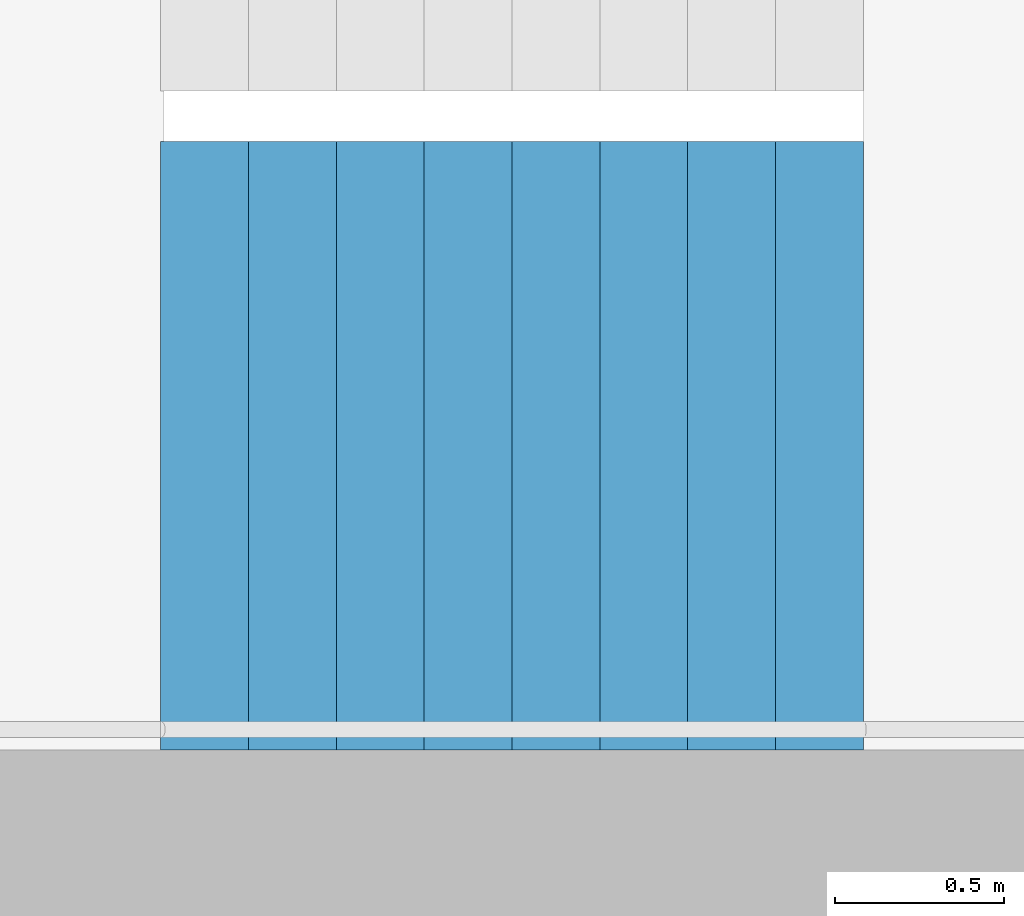
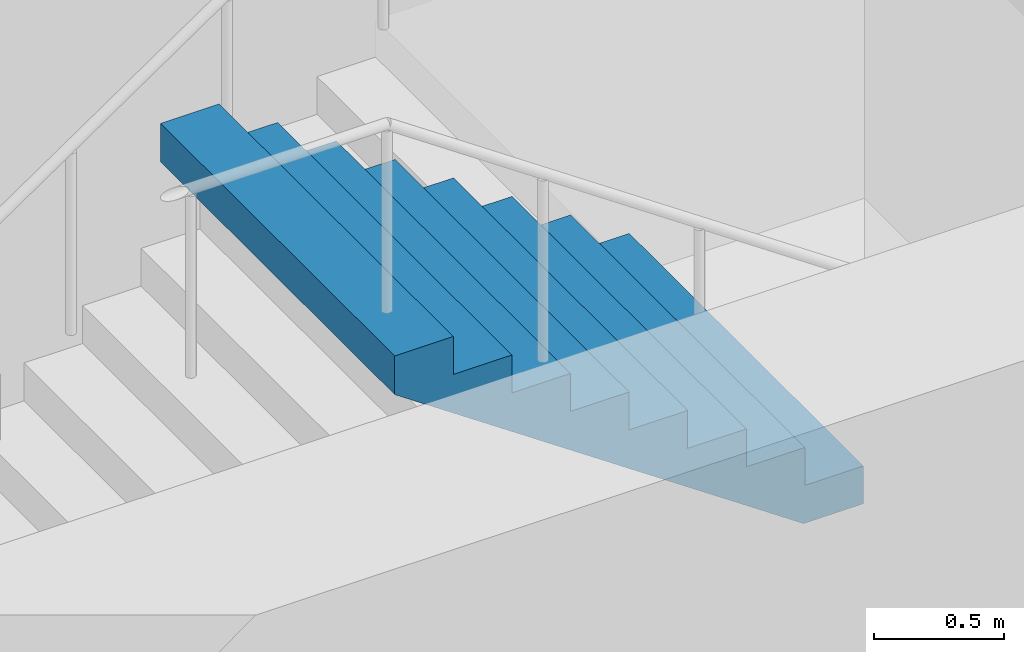
# One storey, part 22 of 26: 1 stair flight, 1 element without a shape of its own.
"""IFC4 building model written with IfcOpenShell, lengths in metres."""

from ifc_helpers import new_model, si_unit, direction, frame, origin, place, context, subcontext, project, spatial, triangles, material, type_object, element, aggregate, save


model = new_model("IFC4")

# Units and contexts
model_context = context("Model", 3, precision=1e-05, world=origin(), true_north=direction((0.0, 1.0)))
body_context = subcontext(model_context, "Body", "Model", "MODEL_VIEW")
ifc_project = project(units=[si_unit("LENGTHUNIT", "METRE"), si_unit("AREAUNIT", "SQUARE_METRE"), si_unit("VOLUMEUNIT", "CUBIC_METRE"), si_unit("PLANEANGLEUNIT", "RADIAN"), si_unit("MASSUNIT", "GRAM", prefix="KILO")], contexts=[model_context])

# Site, building, storey
site_placement = place(None, origin())
site = spatial("IfcSite", under=ifc_project, at=site_placement, CompositionType="ELEMENT")
building_placement = place(site_placement, origin())
building = spatial("IfcBuilding", under=site, at=building_placement, Name="Hakoniwa Tower and Hamabe Station Hall", CompositionType="ELEMENT")
storey_placement = place(building_placement, frame((0.0, 0.0, 169.39990234375)))
storey = spatial("IfcBuildingStorey", under=building, at=storey_placement, Name="L48", CompositionType="ELEMENT", Elevation=169.39990234375)

# Stair, stair flight
ifc_material_1 = material(Name="Concrete C40", Category="concrete")
stair_type = type_object("IfcStairType", Name="ESCAPE STAIR 1800", PredefinedType="HALF_TURN_STAIR", material=ifc_material_1)
stair_placement = place(storey_placement, origin())
stair = element("IfcStair", 1, at=stair_placement, inside=storey, type_object=stair_type, Name="Escape stair ST-4 L48", PredefinedType="HALF_TURN_STAIR")
ifc_material_2 = material(Name="Concrete C40", Category="concrete")
stair_flight_type = type_object("IfcStairFlightType", Name="STAIR FLIGHT 1800", PredefinedType="STRAIGHT", material=ifc_material_2)
stair_flight_placement = place(storey_placement, frame((25.47998046875, -6.60009765625, 1.60009765625), z_axis=(0.0, 0.0, 1.0), x_axis=(-1.0, 0.0, 0.0)))
stair_flight = element("IfcStairFlight", 2, at=stair_flight_placement, type_object=stair_flight_type, Name="ST-4 flight 2", NumberOfRisers=9, NumberOfTreads=8, PredefinedType="STRAIGHT", RiserHeight=0.177777778, TreadLength=0.26, context=body_context, shape_type="Tessellation", body=[
    triangles([(0.0, 0.89990234375, 0.0), (0.260009765625, 0.89990234375, 0.0), (0.265625, 0.89990234375, 0.0), (0.52001953125, 0.89990234375, 0.174072265625), (0.780029296875, 0.89990234375, 0.351806640625), (1.0400390625, 0.89990234375, 0.529541015625), (1.300048828125, 0.89990234375, 0.707275390625), (1.56005859375, 0.89990234375, 0.885009765625), (1.820068359375, 0.89990234375, 1.062744140625), (2.080078125, 0.89990234375, 1.24072265625), (2.080078125, 0.89990234375, 1.422119140625), (1.820068359375, 0.89990234375, 1.422119140625), (1.820068359375, 0.89990234375, 1.244384765625), (1.56005859375, 0.89990234375, 1.244384765625), (1.56005859375, 0.89990234375, 1.066650390625), (1.300048828125, 0.89990234375, 1.066650390625), (1.300048828125, 0.89990234375, 0.888916015625), (1.0400390625, 0.89990234375, 0.888916015625), (1.0400390625, 0.89990234375, 0.711181640625), (0.780029296875, 0.89990234375, 0.711181640625), (0.780029296875, 0.89990234375, 0.533447265625), (0.52001953125, 0.89990234375, 0.533447265625), (0.52001953125, 0.89990234375, 0.35546875), (0.265625, 0.89990234375, 0.35546875), (0.260009765625, 0.89990234375, 0.35546875), (0.260009765625, 0.89990234375, 0.177734375), (0.0, 0.89990234375, 0.177734375), (0.0, 0.06005859375, 0.0), (0.260009765625, 0.06005859375, 0.0), (0.265625, 0.06005859375, 0.0), (0.52001953125, 0.06005859375, 0.174072265625), (0.780029296875, 0.06005859375, 0.351806640625), (1.0400390625, 0.06005859375, 0.529541015625), (1.300048828125, 0.06005859375, 0.707275390625), (1.56005859375, 0.06005859375, 0.885009765625), (1.820068359375, 0.06005859375, 1.062744140625), (2.080078125, 0.06005859375, 1.24072265625), (2.080078125, 0.06005859375, 1.422119140625), (1.820068359375, 0.06005859375, 1.422119140625), (1.820068359375, 0.06005859375, 1.244384765625), (1.56005859375, 0.06005859375, 1.244384765625), (1.56005859375, 0.06005859375, 1.066650390625), (1.300048828125, 0.06005859375, 1.066650390625), (1.300048828125, 0.06005859375, 0.888916015625), (1.0400390625, 0.06005859375, 0.888916015625), (1.0400390625, 0.06005859375, 0.711181640625), (0.780029296875, 0.06005859375, 0.711181640625), (0.780029296875, 0.06005859375, 0.533447265625), (0.52001953125, 0.06005859375, 0.533447265625), (0.52001953125, 0.06005859375, 0.35546875), (0.265625, 0.06005859375, 0.35546875), (0.260009765625, 0.06005859375, 0.35546875), (0.260009765625, 0.06005859375, 0.177734375), (0.0, 0.06005859375, 0.177734375), (0.0, 0.04296875, 0.0), (0.260009765625, 0.04296875, 0.0), (0.265625, 0.04296875, 0.0), (0.52001953125, 0.04296875, 0.174072265625), (0.780029296875, 0.04296875, 0.351806640625), (1.0400390625, 0.04296875, 0.529541015625), (1.300048828125, 0.04296875, 0.707275390625), (1.56005859375, 0.04296875, 0.885009765625), (1.820068359375, 0.04296875, 1.062744140625), (2.080078125, 0.04296875, 1.24072265625), (2.080078125, 0.04296875, 1.422119140625), (1.820068359375, 0.04296875, 1.422119140625), (1.820068359375, 0.04296875, 1.244384765625), (1.56005859375, 0.04296875, 1.244384765625), (1.56005859375, 0.04296875, 1.066650390625), (1.300048828125, 0.04296875, 1.066650390625), (1.300048828125, 0.04296875, 0.888916015625), (1.0400390625, 0.04296875, 0.888916015625), (1.0400390625, 0.04296875, 0.711181640625), (0.780029296875, 0.04296875, 0.711181640625), (0.780029296875, 0.04296875, 0.533447265625), (0.52001953125, 0.04296875, 0.533447265625), (0.52001953125, 0.04296875, 0.35546875), (0.265625, 0.04296875, 0.35546875), (0.260009765625, 0.04296875, 0.35546875), (0.260009765625, 0.04296875, 0.177734375), (0.0, 0.04296875, 0.177734375), (0.0, 0.025634765625, 0.0), (0.260009765625, 0.025634765625, 0.0), (0.265625, 0.025634765625, 0.0), (0.52001953125, 0.025634765625, 0.174072265625), (0.780029296875, 0.025634765625, 0.351806640625), (1.0400390625, 0.025634765625, 0.529541015625), (1.300048828125, 0.025634765625, 0.707275390625), (1.56005859375, 0.025634765625, 0.885009765625), (1.820068359375, 0.025634765625, 1.062744140625), (2.080078125, 0.025634765625, 1.24072265625), (2.080078125, 0.025634765625, 1.422119140625), (1.820068359375, 0.025634765625, 1.422119140625), (1.820068359375, 0.025634765625, 1.244384765625), (1.56005859375, 0.025634765625, 1.244384765625), (1.56005859375, 0.025634765625, 1.066650390625), (1.300048828125, 0.025634765625, 1.066650390625), (1.300048828125, 0.025634765625, 0.888916015625), (1.0400390625, 0.025634765625, 0.888916015625), (1.0400390625, 0.025634765625, 0.711181640625), (0.780029296875, 0.025634765625, 0.711181640625), (0.780029296875, 0.025634765625, 0.533447265625), (0.52001953125, 0.025634765625, 0.533447265625), (0.52001953125, 0.025634765625, 0.35546875), (0.265625, 0.025634765625, 0.35546875), (0.260009765625, 0.025634765625, 0.35546875), (0.260009765625, 0.025634765625, 0.177734375), (0.0, 0.025634765625, 0.177734375), (0.0, 0.008544921875, 0.0), (0.260009765625, 0.008544921875, 0.0), (0.265625, 0.008544921875, 0.0), (0.52001953125, 0.008544921875, 0.174072265625), (0.780029296875, 0.008544921875, 0.351806640625), (1.0400390625, 0.008544921875, 0.529541015625), (1.300048828125, 0.008544921875, 0.707275390625), (1.56005859375, 0.008544921875, 0.885009765625), (1.820068359375, 0.008544921875, 1.062744140625), (2.080078125, 0.008544921875, 1.24072265625), (2.080078125, 0.008544921875, 1.422119140625), (1.820068359375, 0.008544921875, 1.422119140625), (1.820068359375, 0.008544921875, 1.244384765625), (1.56005859375, 0.008544921875, 1.244384765625), (1.56005859375, 0.008544921875, 1.066650390625), (1.300048828125, 0.008544921875, 1.066650390625), (1.300048828125, 0.008544921875, 0.888916015625), (1.0400390625, 0.008544921875, 0.888916015625), (1.0400390625, 0.008544921875, 0.711181640625), (0.780029296875, 0.008544921875, 0.711181640625), (0.780029296875, 0.008544921875, 0.533447265625), (0.52001953125, 0.008544921875, 0.533447265625), (0.52001953125, 0.008544921875, 0.35546875), (0.265625, 0.008544921875, 0.35546875), (0.260009765625, 0.008544921875, 0.35546875), (0.260009765625, 0.008544921875, 0.177734375), (0.0, 0.008544921875, 0.177734375), (0.0, -0.008544921875, 0.0), (0.260009765625, -0.008544921875, 0.0), (0.265625, -0.008544921875, 0.0), (0.52001953125, -0.008544921875, 0.174072265625), (0.780029296875, -0.008544921875, 0.351806640625), (1.0400390625, -0.008544921875, 0.529541015625), (1.300048828125, -0.008544921875, 0.707275390625), (1.56005859375, -0.008544921875, 0.885009765625), (1.820068359375, -0.008544921875, 1.062744140625), (2.080078125, -0.008544921875, 1.24072265625), (2.080078125, -0.008544921875, 1.422119140625), (1.820068359375, -0.008544921875, 1.422119140625), (1.820068359375, -0.008544921875, 1.244384765625), (1.56005859375, -0.008544921875, 1.244384765625), (1.56005859375, -0.008544921875, 1.066650390625), (1.300048828125, -0.008544921875, 1.066650390625), (1.300048828125, -0.008544921875, 0.888916015625), (1.0400390625, -0.008544921875, 0.888916015625), (1.0400390625, -0.008544921875, 0.711181640625), (0.780029296875, -0.008544921875, 0.711181640625), (0.780029296875, -0.008544921875, 0.533447265625), (0.52001953125, -0.008544921875, 0.533447265625), (0.52001953125, -0.008544921875, 0.35546875), (0.265625, -0.008544921875, 0.35546875), (0.260009765625, -0.008544921875, 0.35546875), (0.260009765625, -0.008544921875, 0.177734375), (0.0, -0.008544921875, 0.177734375), (0.0, -0.025634765625, 0.0), (0.260009765625, -0.025634765625, 0.0), (0.265625, -0.025634765625, 0.0), (0.52001953125, -0.025634765625, 0.174072265625), (0.780029296875, -0.025634765625, 0.351806640625), (1.0400390625, -0.025634765625, 0.529541015625), (1.300048828125, -0.025634765625, 0.707275390625), (1.56005859375, -0.025634765625, 0.885009765625), (1.820068359375, -0.025634765625, 1.062744140625), (2.080078125, -0.025634765625, 1.24072265625), (2.080078125, -0.025634765625, 1.422119140625), (1.820068359375, -0.025634765625, 1.422119140625), (1.820068359375, -0.025634765625, 1.244384765625), (1.56005859375, -0.025634765625, 1.244384765625), (1.56005859375, -0.025634765625, 1.066650390625), (1.300048828125, -0.025634765625, 1.066650390625), (1.300048828125, -0.025634765625, 0.888916015625), (1.0400390625, -0.025634765625, 0.888916015625), (1.0400390625, -0.025634765625, 0.711181640625), (0.780029296875, -0.025634765625, 0.711181640625), (0.780029296875, -0.025634765625, 0.533447265625), (0.52001953125, -0.025634765625, 0.533447265625), (0.52001953125, -0.025634765625, 0.35546875), (0.265625, -0.025634765625, 0.35546875), (0.260009765625, -0.025634765625, 0.35546875), (0.260009765625, -0.025634765625, 0.177734375), (0.0, -0.025634765625, 0.177734375), (0.0, -0.04296875, 0.0), (0.260009765625, -0.04296875, 0.0), (0.265625, -0.04296875, 0.0), (0.52001953125, -0.04296875, 0.174072265625), (0.780029296875, -0.04296875, 0.351806640625), (1.0400390625, -0.04296875, 0.529541015625), (1.300048828125, -0.04296875, 0.707275390625), (1.56005859375, -0.04296875, 0.885009765625), (1.820068359375, -0.04296875, 1.062744140625), (2.080078125, -0.04296875, 1.24072265625), (2.080078125, -0.04296875, 1.422119140625), (1.820068359375, -0.04296875, 1.422119140625), (1.820068359375, -0.04296875, 1.244384765625), (1.56005859375, -0.04296875, 1.244384765625), (1.56005859375, -0.04296875, 1.066650390625), (1.300048828125, -0.04296875, 1.066650390625), (1.300048828125, -0.04296875, 0.888916015625), (1.0400390625, -0.04296875, 0.888916015625), (1.0400390625, -0.04296875, 0.711181640625), (0.780029296875, -0.04296875, 0.711181640625), (0.780029296875, -0.04296875, 0.533447265625), (0.52001953125, -0.04296875, 0.533447265625), (0.52001953125, -0.04296875, 0.35546875), (0.265625, -0.04296875, 0.35546875), (0.260009765625, -0.04296875, 0.35546875), (0.260009765625, -0.04296875, 0.177734375), (0.0, -0.04296875, 0.177734375), (0.0, -0.06005859375, 0.0), (0.260009765625, -0.06005859375, 0.0), (0.265625, -0.06005859375, 0.0), (0.52001953125, -0.06005859375, 0.174072265625), (0.780029296875, -0.06005859375, 0.351806640625), (1.0400390625, -0.06005859375, 0.529541015625), (1.300048828125, -0.06005859375, 0.707275390625), (1.56005859375, -0.06005859375, 0.885009765625), (1.820068359375, -0.06005859375, 1.062744140625), (2.080078125, -0.06005859375, 1.24072265625), (2.080078125, -0.06005859375, 1.422119140625), (1.820068359375, -0.06005859375, 1.422119140625), (1.820068359375, -0.06005859375, 1.244384765625), (1.56005859375, -0.06005859375, 1.244384765625), (1.56005859375, -0.06005859375, 1.066650390625), (1.300048828125, -0.06005859375, 1.066650390625), (1.300048828125, -0.06005859375, 0.888916015625), (1.0400390625, -0.06005859375, 0.888916015625), (1.0400390625, -0.06005859375, 0.711181640625), (0.780029296875, -0.06005859375, 0.711181640625), (0.780029296875, -0.06005859375, 0.533447265625), (0.52001953125, -0.06005859375, 0.533447265625), (0.52001953125, -0.06005859375, 0.35546875), (0.265625, -0.06005859375, 0.35546875), (0.260009765625, -0.06005859375, 0.35546875), (0.260009765625, -0.06005859375, 0.177734375), (0.0, -0.06005859375, 0.177734375), (0.0, -0.89990234375, 0.0), (0.260009765625, -0.89990234375, 0.0), (0.265625, -0.89990234375, 0.0), (0.52001953125, -0.89990234375, 0.174072265625), (0.780029296875, -0.89990234375, 0.351806640625), (1.0400390625, -0.89990234375, 0.529541015625), (1.300048828125, -0.89990234375, 0.707275390625), (1.56005859375, -0.89990234375, 0.885009765625), (1.820068359375, -0.89990234375, 1.062744140625), (2.080078125, -0.89990234375, 1.24072265625), (2.080078125, -0.89990234375, 1.422119140625), (1.820068359375, -0.89990234375, 1.422119140625), (1.820068359375, -0.89990234375, 1.244384765625), (1.56005859375, -0.89990234375, 1.244384765625), (1.56005859375, -0.89990234375, 1.066650390625), (1.300048828125, -0.89990234375, 1.066650390625), (1.300048828125, -0.89990234375, 0.888916015625), (1.0400390625, -0.89990234375, 0.888916015625), (1.0400390625, -0.89990234375, 0.711181640625), (0.780029296875, -0.89990234375, 0.711181640625), (0.780029296875, -0.89990234375, 0.533447265625), (0.52001953125, -0.89990234375, 0.533447265625), (0.52001953125, -0.89990234375, 0.35546875), (0.265625, -0.89990234375, 0.35546875), (0.260009765625, -0.89990234375, 0.35546875), (0.260009765625, -0.89990234375, 0.177734375), (0.0, -0.89990234375, 0.177734375)], [[2, 27, 26], [245, 269, 270], [2, 1, 27], [245, 270, 244], [3, 25, 24], [246, 267, 268], [3, 26, 25], [246, 268, 269], [3, 2, 26], [246, 269, 245], [4, 24, 23], [247, 266, 267], [4, 3, 24], [247, 267, 246], [5, 22, 21], [248, 264, 265], [5, 23, 22], [248, 265, 266], [5, 4, 23], [248, 266, 247], [6, 20, 19], [249, 262, 263], [6, 21, 20], [249, 263, 264], [6, 5, 21], [249, 264, 248], [7, 18, 17], [250, 260, 261], [7, 19, 18], [250, 261, 262], [7, 6, 19], [250, 262, 249], [8, 16, 15], [251, 258, 259], [8, 17, 16], [251, 259, 260], [8, 7, 17], [251, 260, 250], [9, 14, 13], [252, 256, 257], [9, 15, 14], [252, 257, 258], [9, 8, 15], [252, 258, 251], [10, 12, 11], [253, 254, 255], [10, 13, 12], [253, 255, 256], [10, 9, 13], [253, 256, 252], [1, 2, 29], [1, 29, 28], [28, 29, 56], [28, 56, 55], [55, 56, 83], [55, 83, 82], [82, 83, 110], [82, 110, 109], [109, 110, 137], [109, 137, 136], [136, 137, 164], [136, 164, 163], [163, 164, 191], [163, 191, 190], [190, 191, 218], [190, 218, 217], [217, 218, 245], [217, 245, 244], [2, 3, 30], [2, 30, 29], [29, 30, 57], [29, 57, 56], [56, 57, 84], [56, 84, 83], [83, 84, 111], [83, 111, 110], [110, 111, 138], [110, 138, 137], [137, 138, 165], [137, 165, 164], [164, 165, 192], [164, 192, 191], [191, 192, 219], [191, 219, 218], [218, 219, 246], [218, 246, 245], [3, 4, 31], [3, 31, 30], [30, 31, 58], [30, 58, 57], [57, 58, 85], [57, 85, 84], [84, 85, 112], [84, 112, 111], [111, 112, 139], [111, 139, 138], [138, 139, 166], [138, 166, 165], [165, 166, 193], [165, 193, 192], [192, 193, 220], [192, 220, 219], [219, 220, 247], [219, 247, 246], [4, 5, 32], [4, 32, 31], [31, 32, 59], [31, 59, 58], [58, 59, 86], [58, 86, 85], [85, 86, 113], [85, 113, 112], [112, 113, 140], [112, 140, 139], [139, 140, 167], [139, 167, 166], [166, 167, 194], [166, 194, 193], [193, 194, 221], [193, 221, 220], [220, 221, 248], [220, 248, 247], [5, 6, 33], [5, 33, 32], [32, 33, 60], [32, 60, 59], [59, 60, 87], [59, 87, 86], [86, 87, 114], [86, 114, 113], [113, 114, 141], [113, 141, 140], [140, 141, 168], [140, 168, 167], [167, 168, 195], [167, 195, 194], [194, 195, 222], [194, 222, 221], [221, 222, 249], [221, 249, 248], [6, 7, 34], [6, 34, 33], [33, 34, 61], [33, 61, 60], [60, 61, 88], [60, 88, 87], [87, 88, 115], [87, 115, 114], [114, 115, 142], [114, 142, 141], [141, 142, 169], [141, 169, 168], [168, 169, 196], [168, 196, 195], [195, 196, 223], [195, 223, 222], [222, 223, 250], [222, 250, 249], [7, 8, 35], [7, 35, 34], [34, 35, 62], [34, 62, 61], [61, 62, 89], [61, 89, 88], [88, 89, 116], [88, 116, 115], [115, 116, 143], [115, 143, 142], [142, 143, 170], [142, 170, 169], [169, 170, 197], [169, 197, 196], [196, 197, 224], [196, 224, 223], [223, 224, 251], [223, 251, 250], [8, 9, 36], [8, 36, 35], [35, 36, 63], [35, 63, 62], [62, 63, 90], [62, 90, 89], [89, 90, 117], [89, 117, 116], [116, 117, 144], [116, 144, 143], [143, 144, 171], [143, 171, 170], [170, 171, 198], [170, 198, 197], [197, 198, 225], [197, 225, 224], [224, 225, 252], [224, 252, 251], [9, 10, 37], [9, 37, 36], [36, 37, 64], [36, 64, 63], [63, 64, 91], [63, 91, 90], [90, 91, 118], [90, 118, 117], [117, 118, 145], [117, 145, 144], [144, 145, 172], [144, 172, 171], [171, 172, 199], [171, 199, 198], [198, 199, 226], [198, 226, 225], [225, 226, 253], [225, 253, 252], [10, 11, 38], [10, 38, 37], [37, 38, 65], [37, 65, 64], [64, 65, 92], [64, 92, 91], [91, 92, 119], [91, 119, 118], [118, 119, 146], [118, 146, 145], [145, 146, 173], [145, 173, 172], [172, 173, 200], [172, 200, 199], [199, 200, 227], [199, 227, 226], [226, 227, 254], [226, 254, 253], [11, 12, 39], [11, 39, 38], [38, 39, 66], [38, 66, 65], [65, 66, 93], [65, 93, 92], [92, 93, 120], [92, 120, 119], [119, 120, 147], [119, 147, 146], [146, 147, 174], [146, 174, 173], [173, 174, 201], [173, 201, 200], [200, 201, 228], [200, 228, 227], [227, 228, 255], [227, 255, 254], [12, 13, 40], [12, 40, 39], [39, 40, 67], [39, 67, 66], [66, 67, 94], [66, 94, 93], [93, 94, 121], [93, 121, 120], [120, 121, 148], [120, 148, 147], [147, 148, 175], [147, 175, 174], [174, 175, 202], [174, 202, 201], [201, 202, 229], [201, 229, 228], [228, 229, 256], [228, 256, 255], [13, 14, 41], [13, 41, 40], [40, 41, 68], [40, 68, 67], [67, 68, 95], [67, 95, 94], [94, 95, 122], [94, 122, 121], [121, 122, 149], [121, 149, 148], [148, 149, 176], [148, 176, 175], [175, 176, 203], [175, 203, 202], [202, 203, 230], [202, 230, 229], [229, 230, 257], [229, 257, 256], [14, 15, 42], [14, 42, 41], [41, 42, 69], [41, 69, 68], [68, 69, 96], [68, 96, 95], [95, 96, 123], [95, 123, 122], [122, 123, 150], [122, 150, 149], [149, 150, 177], [149, 177, 176], [176, 177, 204], [176, 204, 203], [203, 204, 231], [203, 231, 230], [230, 231, 258], [230, 258, 257], [15, 16, 43], [15, 43, 42], [42, 43, 70], [42, 70, 69], [69, 70, 97], [69, 97, 96], [96, 97, 124], [96, 124, 123], [123, 124, 151], [123, 151, 150], [150, 151, 178], [150, 178, 177], [177, 178, 205], [177, 205, 204], [204, 205, 232], [204, 232, 231], [231, 232, 259], [231, 259, 258], [16, 17, 44], [16, 44, 43], [43, 44, 71], [43, 71, 70], [70, 71, 98], [70, 98, 97], [97, 98, 125], [97, 125, 124], [124, 125, 152], [124, 152, 151], [151, 152, 179], [151, 179, 178], [178, 179, 206], [178, 206, 205], [205, 206, 233], [205, 233, 232], [232, 233, 260], [232, 260, 259], [17, 18, 45], [17, 45, 44], [44, 45, 72], [44, 72, 71], [71, 72, 99], [71, 99, 98], [98, 99, 126], [98, 126, 125], [125, 126, 153], [125, 153, 152], [152, 153, 180], [152, 180, 179], [179, 180, 207], [179, 207, 206], [206, 207, 234], [206, 234, 233], [233, 234, 261], [233, 261, 260], [18, 19, 46], [18, 46, 45], [45, 46, 73], [45, 73, 72], [72, 73, 100], [72, 100, 99], [99, 100, 127], [99, 127, 126], [126, 127, 154], [126, 154, 153], [153, 154, 181], [153, 181, 180], [180, 181, 208], [180, 208, 207], [207, 208, 235], [207, 235, 234], [234, 235, 262], [234, 262, 261], [19, 20, 47], [19, 47, 46], [46, 47, 74], [46, 74, 73], [73, 74, 101], [73, 101, 100], [100, 101, 128], [100, 128, 127], [127, 128, 155], [127, 155, 154], [154, 155, 182], [154, 182, 181], [181, 182, 209], [181, 209, 208], [208, 209, 236], [208, 236, 235], [235, 236, 263], [235, 263, 262], [20, 21, 48], [20, 48, 47], [47, 48, 75], [47, 75, 74], [74, 75, 102], [74, 102, 101], [101, 102, 129], [101, 129, 128], [128, 129, 156], [128, 156, 155], [155, 156, 183], [155, 183, 182], [182, 183, 210], [182, 210, 209], [209, 210, 237], [209, 237, 236], [236, 237, 264], [236, 264, 263], [21, 22, 49], [21, 49, 48], [48, 49, 76], [48, 76, 75], [75, 76, 103], [75, 103, 102], [102, 103, 130], [102, 130, 129], [129, 130, 157], [129, 157, 156], [156, 157, 184], [156, 184, 183], [183, 184, 211], [183, 211, 210], [210, 211, 238], [210, 238, 237], [237, 238, 265], [237, 265, 264], [22, 23, 50], [22, 50, 49], [49, 50, 77], [49, 77, 76], [76, 77, 104], [76, 104, 103], [103, 104, 131], [103, 131, 130], [130, 131, 158], [130, 158, 157], [157, 158, 185], [157, 185, 184], [184, 185, 212], [184, 212, 211], [211, 212, 239], [211, 239, 238], [238, 239, 266], [238, 266, 265], [23, 24, 51], [23, 51, 50], [50, 51, 78], [50, 78, 77], [77, 78, 105], [77, 105, 104], [104, 105, 132], [104, 132, 131], [131, 132, 159], [131, 159, 158], [158, 159, 186], [158, 186, 185], [185, 186, 213], [185, 213, 212], [212, 213, 240], [212, 240, 239], [239, 240, 267], [239, 267, 266], [24, 25, 52], [24, 52, 51], [51, 52, 79], [51, 79, 78], [78, 79, 106], [78, 106, 105], [105, 106, 133], [105, 133, 132], [132, 133, 160], [132, 160, 159], [159, 160, 187], [159, 187, 186], [186, 187, 214], [186, 214, 213], [213, 214, 241], [213, 241, 240], [240, 241, 268], [240, 268, 267], [25, 26, 53], [25, 53, 52], [52, 53, 80], [52, 80, 79], [79, 80, 107], [79, 107, 106], [106, 107, 134], [106, 134, 133], [133, 134, 161], [133, 161, 160], [160, 161, 188], [160, 188, 187], [187, 188, 215], [187, 215, 214], [214, 215, 242], [214, 242, 241], [241, 242, 269], [241, 269, 268], [26, 27, 54], [26, 54, 53], [53, 54, 81], [53, 81, 80], [80, 81, 108], [80, 108, 107], [107, 108, 135], [107, 135, 134], [134, 135, 162], [134, 162, 161], [161, 162, 189], [161, 189, 188], [188, 189, 216], [188, 216, 215], [215, 216, 243], [215, 243, 242], [242, 243, 270], [242, 270, 269], [27, 1, 28], [27, 28, 54], [54, 28, 55], [54, 55, 81], [81, 55, 82], [81, 82, 108], [108, 82, 109], [108, 109, 135], [135, 109, 136], [135, 136, 162], [162, 136, 163], [162, 163, 189], [189, 163, 190], [189, 190, 216], [216, 190, 217], [216, 217, 243], [243, 217, 244], [243, 244, 270]], closed=True),
])
aggregate(stair, [stair_flight])

save(model, "model.ifc")
